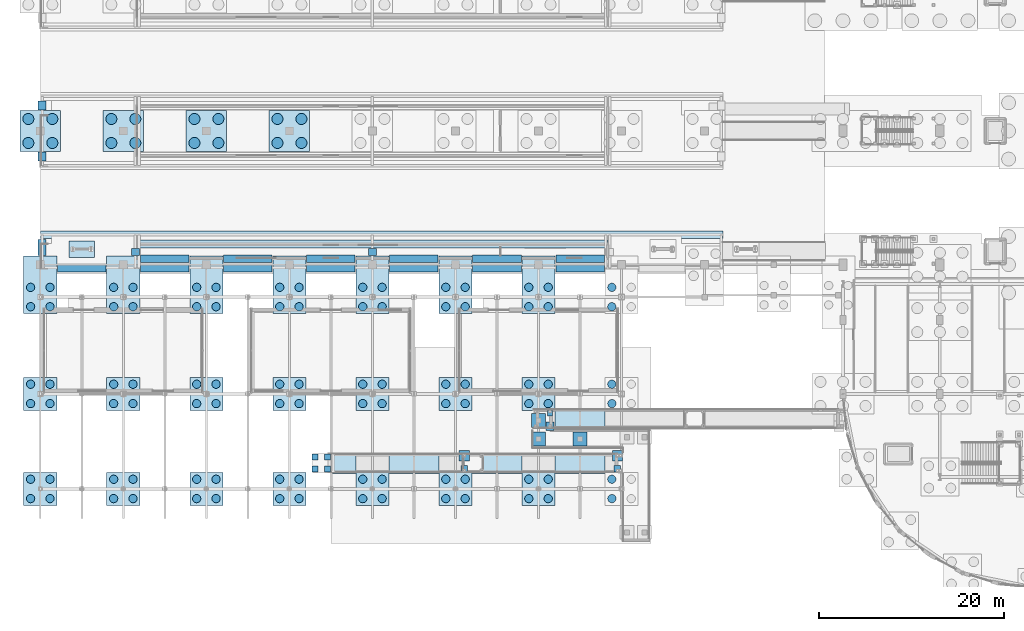
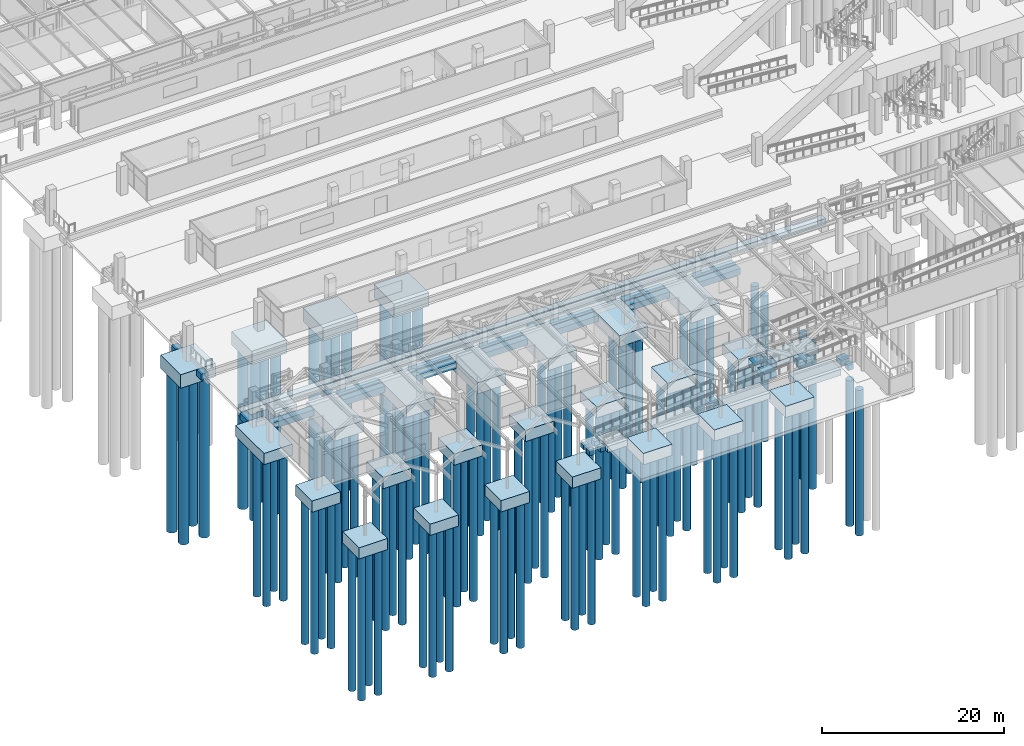
# One storey, part 1 of 160: 106 piles, 64 footings.
"""IFC4 building model written with IfcOpenShell, lengths in metres."""

from ifc_helpers import new_model, si_unit, direction, frame, origin, origin_2d, place, context, subcontext, project, spatial, rectangle, circle, extrude, material, material_profile, profile_set, type_object, element, save


model = new_model("IFC4")

# Units and contexts
model_context = context("Model", 3, precision=1e-05, world=origin(), true_north=direction((0.0, 1.0)))
body_context = subcontext(model_context, "Body", "Model", "MODEL_VIEW")
ifc_project = project(units=[si_unit("LENGTHUNIT", "METRE"), si_unit("AREAUNIT", "SQUARE_METRE"), si_unit("VOLUMEUNIT", "CUBIC_METRE"), si_unit("PLANEANGLEUNIT", "RADIAN"), si_unit("MASSUNIT", "GRAM", prefix="KILO")], contexts=[model_context])

# Site, building, storey
site_placement = place(None, origin())
site = spatial("IfcSite", under=ifc_project, at=site_placement, CompositionType="ELEMENT")
building_placement = place(site_placement, origin())
building = spatial("IfcBuilding", under=site, at=building_placement, Name="Marlcrest Central Station", CompositionType="ELEMENT")
storey_placement = place(building_placement, origin())
storey = spatial("IfcBuildingStorey", under=building, at=storey_placement, Name="L00", CompositionType="ELEMENT", Elevation=0.0)

# Piles
ifc_material_1 = material(Name="Concrete C35/45", Category="concrete")
ifc_material_profile_1 = material_profile(ifc_material_1, circle(Radius=0.449951171875, at=origin_2d()), Name="PILE D900")
ifc_profile_set_1 = profile_set([ifc_material_profile_1], Name="Concrete C35/45")
pile_type_1 = type_object("IfcPileType", Name="BP-02", PredefinedType="BORED", material=ifc_profile_set_1)
for number, where, z_axis, x_axis, name in (
    (1, (-1.050048828125, 21.449951171875, -1.39990234375), (0.0, 0.0, -1.0), (1.0, 0.0, 0.0), "pile-BP-02-0327"),
    (2, (1.050048828125, 21.449951171875, -1.39990234375), (0.0, 0.0, -1.0), (1.0, 0.0, 0.0), "pile-BP-02-0328"),
    (3, (-1.050048828125, 23.550048828125, -1.39990234375), (0.0, 0.0, -1.0), (1.0, 0.0, 0.0), "pile-BP-02-0329"),
    (4, (1.050048828125, 23.550048828125, -1.39990234375), (0.0, 0.0, -1.0), (1.0, 0.0, 0.0), "pile-BP-02-0330"),
    (5, (-1.050048828125, 31.949951171875, -1.39990234375), (0.0, 0.0, -1.0), (1.0, 0.0, 0.0), "pile-BP-02-0331"),
    (6, (1.050048828125, 31.949951171875, -1.39990234375), (0.0, 0.0, -1.0), (1.0, 0.0, 0.0), "pile-BP-02-0332"),
    (7, (-1.050048828125, 34.050048828125, -1.39990234375), (0.0, 0.0, -1.0), (1.0, 0.0, 0.0), "pile-BP-02-0333"),
    (8, (1.050048828125, 34.050048828125, -1.39990234375), (0.0, 0.0, -1.0), (1.0, 0.0, 0.0), "pile-BP-02-0334"),
    (9, (-1.050048828125, 11.14990234375, -1.39990234375), (0.0, 0.0, -1.0), (1.0, 0.0, 0.0), "pile-BP-02-0335"),
    (10, (1.050048828125, 11.14990234375, -1.39990234375), (0.0, 0.0, -1.0), (1.0, 0.0, 0.0), "pile-BP-02-0336"),
    (11, (-1.050048828125, 13.25, -1.39990234375), (0.0, 0.0, -1.0), (1.0, 0.0, 0.0), "pile-BP-02-0337"),
    (12, (1.050048828125, 13.25, -1.39990234375), (0.0, 0.0, -1.0), (1.0, 0.0, 0.0), "pile-BP-02-0338"),
    (13, (7.949951171875, 21.449951171875, -1.39990234375), (0.0, 0.0, -1.0), (1.0, 0.0, 0.0), "pile-BP-02-0339"),
    (14, (10.050048828125, 21.449951171875, -1.39990234375), (0.0, 0.0, -1.0), (1.0, 0.0, 0.0), "pile-BP-02-0340"),
    (15, (7.949951171875, 23.550048828125, -1.39990234375), (0.0, 0.0, -1.0), (1.0, 0.0, 0.0), "pile-BP-02-0341"),
    (16, (10.050048828125, 23.550048828125, -1.39990234375), (0.0, 0.0, -1.0), (1.0, 0.0, 0.0), "pile-BP-02-0342"),
    (17, (7.949951171875, 31.949951171875, -1.39990234375), (0.0, 0.0, -1.0), (1.0, 0.0, 0.0), "pile-BP-02-0343"),
    (18, (10.050048828125, 31.949951171875, -1.39990234375), (0.0, 0.0, -1.0), (1.0, 0.0, 0.0), "pile-BP-02-0344"),
    (19, (7.949951171875, 34.050048828125, -1.39990234375), (0.0, 0.0, -1.0), (1.0, 0.0, 0.0), "pile-BP-02-0345"),
    (20, (10.050048828125, 34.050048828125, -1.39990234375), (0.0, 0.0, -1.0), (1.0, 0.0, 0.0), "pile-BP-02-0346"),
    (21, (7.949951171875, 11.14990234375, -1.39990234375), (0.0, 0.0, -1.0), (1.0, 0.0, 0.0), "pile-BP-02-0347"),
    (22, (10.050048828125, 11.14990234375, -1.39990234375), (0.0, 0.0, -1.0), (1.0, 0.0, 0.0), "pile-BP-02-0348"),
    (23, (7.949951171875, 13.25, -1.39990234375), (0.0, 0.0, -1.0), (1.0, 0.0, 0.0), "pile-BP-02-0349"),
    (24, (10.050048828125, 13.25, -1.39990234375), (0.0, 0.0, -1.0), (1.0, 0.0, 0.0), "pile-BP-02-0350"),
    (25, (16.949951171875, 21.449951171875, -1.39990234375), (0.0, 0.0, -1.0), (1.0, 0.0, 0.0), "pile-BP-02-0351"),
    (26, (19.050048828125, 21.449951171875, -1.39990234375), (0.0, 0.0, -1.0), (1.0, 0.0, 0.0), "pile-BP-02-0352"),
    (27, (16.949951171875, 23.550048828125, -1.39990234375), (0.0, 0.0, -1.0), (1.0, 0.0, 0.0), "pile-BP-02-0353"),
    (28, (19.050048828125, 23.550048828125, -1.39990234375), (0.0, 0.0, -1.0), (1.0, 0.0, 0.0), "pile-BP-02-0354"),
    (29, (16.949951171875, 31.949951171875, -1.39990234375), (0.0, 0.0, -1.0), (1.0, 0.0, 0.0), "pile-BP-02-0355"),
    (30, (19.050048828125, 31.949951171875, -1.39990234375), (0.0, 0.0, -1.0), (1.0, 0.0, 0.0), "pile-BP-02-0356"),
    (31, (16.949951171875, 34.050048828125, -1.39990234375), (0.0, 0.0, -1.0), (1.0, 0.0, 0.0), "pile-BP-02-0357"),
    (32, (19.050048828125, 34.050048828125, -1.39990234375), (0.0, 0.0, -1.0), (1.0, 0.0, 0.0), "pile-BP-02-0358"),
    (33, (16.949951171875, 11.14990234375, -1.39990234375), (0.0, 0.0, -1.0), (1.0, 0.0, 0.0), "pile-BP-02-0359"),
    (34, (19.050048828125, 11.14990234375, -1.39990234375), (0.0, 0.0, -1.0), (1.0, 0.0, 0.0), "pile-BP-02-0360"),
    (35, (16.949951171875, 13.25, -1.39990234375), (0.0, 0.0, -1.0), (1.0, 0.0, 0.0), "pile-BP-02-0361"),
    (36, (19.050048828125, 13.25, -1.39990234375), (0.0, 0.0, -1.0), (1.0, 0.0, 0.0), "pile-BP-02-0362"),
    (37, (25.949951171875, 21.449951171875, -1.39990234375), (0.0, 0.0, -1.0), (1.0, 0.0, 0.0), "pile-BP-02-0363"),
    (38, (28.050048828125, 21.449951171875, -1.39990234375), (0.0, 0.0, -1.0), (1.0, 0.0, 0.0), "pile-BP-02-0364"),
    (39, (25.949951171875, 23.550048828125, -1.39990234375), (0.0, 0.0, -1.0), (1.0, 0.0, 0.0), "pile-BP-02-0365"),
    (40, (28.050048828125, 23.550048828125, -1.39990234375), (0.0, 0.0, -1.0), (1.0, 0.0, 0.0), "pile-BP-02-0366"),
    (41, (25.949951171875, 31.949951171875, -1.39990234375), (0.0, 0.0, -1.0), (1.0, 0.0, 0.0), "pile-BP-02-0367"),
    (42, (28.050048828125, 31.949951171875, -1.39990234375), (0.0, 0.0, -1.0), (1.0, 0.0, 0.0), "pile-BP-02-0368"),
    (43, (25.949951171875, 34.050048828125, -1.39990234375), (0.0, 0.0, -1.0), (1.0, 0.0, 0.0), "pile-BP-02-0369"),
    (44, (28.050048828125, 34.050048828125, -1.39990234375), (0.0, 0.0, -1.0), (1.0, 0.0, 0.0), "pile-BP-02-0370"),
    (45, (25.949951171875, 11.14990234375, -1.39990234375), (0.0, 0.0, -1.0), (1.0, 0.0, 0.0), "pile-BP-02-0371"),
    (46, (28.050048828125, 11.14990234375, -1.39990234375), (0.0, 0.0, -1.0), (1.0, 0.0, 0.0), "pile-BP-02-0372"),
    (47, (25.949951171875, 13.25, -1.39990234375), (0.0, 0.0, -1.0), (1.0, 0.0, 0.0), "pile-BP-02-0373"),
    (48, (28.050048828125, 13.25, -1.39990234375), (0.0, 0.0, -1.0), (1.0, 0.0, 0.0), "pile-BP-02-0374"),
    (49, (34.949951171875, 21.449951171875, -1.39990234375), (0.0, 0.0, -1.0), (1.0, 0.0, 0.0), "pile-BP-02-0375"),
    (50, (37.050048828125, 21.449951171875, -1.39990234375), (0.0, 0.0, -1.0), (1.0, 0.0, 0.0), "pile-BP-02-0376"),
    (51, (34.949951171875, 23.550048828125, -1.39990234375), (0.0, 0.0, -1.0), (1.0, 0.0, 0.0), "pile-BP-02-0377"),
    (52, (37.050048828125, 23.550048828125, -1.39990234375), (0.0, 0.0, -1.0), (1.0, 0.0, 0.0), "pile-BP-02-0378"),
    (53, (34.949951171875, 31.949951171875, -1.39990234375), (0.0, 0.0, -1.0), (1.0, 0.0, 0.0), "pile-BP-02-0379"),
    (54, (37.050048828125, 31.949951171875, -1.39990234375), (0.0, 0.0, -1.0), (1.0, 0.0, 0.0), "pile-BP-02-0380"),
    (55, (34.949951171875, 34.050048828125, -1.39990234375), (0.0, 0.0, -1.0), (1.0, 0.0, 0.0), "pile-BP-02-0381"),
    (56, (37.050048828125, 34.050048828125, -1.39990234375), (0.0, 0.0, -1.0), (1.0, 0.0, 0.0), "pile-BP-02-0382"),
    (57, (34.949951171875, 11.14990234375, -1.39990234375), (0.0, 0.0, -1.0), (1.0, 0.0, 0.0), "pile-BP-02-0383"),
    (58, (37.050048828125, 11.14990234375, -1.39990234375), (0.0, 0.0, -1.0), (1.0, 0.0, 0.0), "pile-BP-02-0384"),
    (59, (34.949951171875, 13.25, -1.39990234375), (0.0, 0.0, -1.0), (1.0, 0.0, 0.0), "pile-BP-02-0385"),
    (60, (37.050048828125, 13.25, -1.39990234375), (0.0, 0.0, -1.0), (1.0, 0.0, 0.0), "pile-BP-02-0386"),
    (61, (43.949951171875, 21.449951171875, -1.39990234375), (0.0, 0.0, -1.0), (1.0, 0.0, 0.0), "pile-BP-02-0387"),
    (62, (46.050048828125, 21.449951171875, -1.39990234375), (0.0, 0.0, -1.0), (1.0, 0.0, 0.0), "pile-BP-02-0388"),
    (63, (43.949951171875, 23.550048828125, -1.39990234375), (0.0, 0.0, -1.0), (1.0, 0.0, 0.0), "pile-BP-02-0389"),
    (64, (46.050048828125, 23.550048828125, -1.39990234375), (0.0, 0.0, -1.0), (1.0, 0.0, 0.0), "pile-BP-02-0390"),
    (65, (43.949951171875, 31.949951171875, -1.39990234375), (0.0, 0.0, -1.0), (1.0, 0.0, 0.0), "pile-BP-02-0391"),
    (66, (46.050048828125, 31.949951171875, -1.39990234375), (0.0, 0.0, -1.0), (1.0, 0.0, 0.0), "pile-BP-02-0392"),
    (67, (43.949951171875, 34.050048828125, -1.39990234375), (0.0, 0.0, -1.0), (1.0, 0.0, 0.0), "pile-BP-02-0393"),
    (68, (46.050048828125, 34.050048828125, -1.39990234375), (0.0, 0.0, -1.0), (1.0, 0.0, 0.0), "pile-BP-02-0394"),
    (69, (43.949951171875, 11.14990234375, -1.39990234375), (0.0, 0.0, -1.0), (1.0, 0.0, 0.0), "pile-BP-02-0395"),
    (70, (46.050048828125, 11.14990234375, -1.39990234375), (0.0, 0.0, -1.0), (1.0, 0.0, 0.0), "pile-BP-02-0396"),
    (71, (43.949951171875, 13.25, -1.39990234375), (0.0, 0.0, -1.0), (1.0, 0.0, 0.0), "pile-BP-02-0397"),
    (72, (46.050048828125, 13.25, -1.39990234375), (0.0, 0.0, -1.0), (1.0, 0.0, 0.0), "pile-BP-02-0398"),
    (73, (52.949951171875, 21.449951171875, -1.39990234375), (0.0, 0.0, -1.0), (1.0, 0.0, 0.0), "pile-BP-02-0399"),
    (74, (55.050048828125, 21.449951171875, -1.39990234375), (0.0, 0.0, -1.0), (1.0, 0.0, 0.0), "pile-BP-02-0400"),
    (75, (52.949951171875, 23.550048828125, -1.39990234375), (0.0, 0.0, -1.0), (1.0, 0.0, 0.0), "pile-BP-02-0401"),
    (76, (55.050048828125, 23.550048828125, -1.39990234375), (0.0, 0.0, -1.0), (1.0, 0.0, 0.0), "pile-BP-02-0402"),
    (77, (52.949951171875, 31.949951171875, -1.39990234375), (0.0, 0.0, -1.0), (1.0, 0.0, 0.0), "pile-BP-02-0403"),
    (78, (55.050048828125, 31.949951171875, -1.39990234375), (0.0, 0.0, -1.0), (1.0, 0.0, 0.0), "pile-BP-02-0404"),
    (79, (52.949951171875, 34.050048828125, -1.39990234375), (0.0, 0.0, -1.0), (1.0, 0.0, 0.0), "pile-BP-02-0405"),
    (80, (55.050048828125, 34.050048828125, -1.39990234375), (0.0, 0.0, -1.0), (1.0, 0.0, 0.0), "pile-BP-02-0406"),
    (81, (52.949951171875, 11.14990234375, -1.39990234375), (0.0, 0.0, -1.0), (1.0, 0.0, 0.0), "pile-BP-02-0407"),
    (82, (55.050048828125, 11.14990234375, -1.39990234375), (0.0, 0.0, -1.0), (1.0, 0.0, 0.0), "pile-BP-02-0408"),
    (83, (52.949951171875, 13.25, -1.39990234375), (0.0, 0.0, -1.0), (1.0, 0.0, 0.0), "pile-BP-02-0409"),
    (84, (55.050048828125, 13.25, -1.39990234375), (0.0, 0.0, -1.0), (1.0, 0.0, 0.0), "pile-BP-02-0410"),
    (85, (61.949951171875, 21.449951171875, -1.39990234375), (0.0, 0.0, -1.0), (1.0, 0.0, 0.0), "pile-BP-02-0411"),
    (86, (61.949951171875, 23.550048828125, -1.39990234375), (0.0, 0.0, -1.0), (1.0, 0.0, 0.0), "pile-BP-02-0413"),
    (87, (61.949951171875, 31.949951171875, -1.39990234375), (0.0, 0.0, -1.0), (1.0, 0.0, 0.0), "pile-BP-02-0415"),
    (88, (61.949951171875, 34.050048828125, -1.39990234375), (0.0, 0.0, -1.0), (1.0, 0.0, 0.0), "pile-BP-02-0417"),
    (89, (61.949951171875, 11.14990234375, -1.39990234375), (0.0, 0.0, -1.0), (1.0, 0.0, 0.0), "pile-BP-02-0419"),
    (90, (61.949951171875, 13.25, -1.39990234375), (0.0, 0.0, -1.0), (1.0, 0.0, 0.0), "pile-BP-02-0421"),
):
    element("IfcPile", number, at=place(storey_placement, frame(where, z_axis=z_axis, x_axis=x_axis)), inside=storey, type_object=pile_type_1, Name=name, PredefinedType="BORED", context=body_context, shape_type="SweptSolid", body=[
        extrude(circle(Radius=0.449951171875, at=origin_2d()), origin(), (0.0, 0.0, 1.0), 19.5),
    ])
ifc_material_profile_2 = material_profile(ifc_material_1, circle(Radius=0.60009765625, at=origin_2d()), Name="PILE D1200")
ifc_profile_set_2 = profile_set([ifc_material_profile_2], Name="Concrete C35/45")
pile_type_2 = type_object("IfcPileType", Name="BP-04", PredefinedType="BORED", material=ifc_profile_set_2)
for number, where, z_axis, x_axis, name in (
    (91, (-1.300048828125, 49.699951171875, -1.699951171875), (0.0, 0.0, -1.0), (1.0, 0.0, 0.0), "pile-BP-04-0423"),
    (92, (1.300048828125, 49.699951171875, -1.699951171875), (0.0, 0.0, -1.0), (1.0, 0.0, 0.0), "pile-BP-04-0424"),
    (93, (-1.300048828125, 52.300048828125, -1.699951171875), (0.0, 0.0, -1.0), (1.0, 0.0, 0.0), "pile-BP-04-0425"),
    (94, (1.300048828125, 52.300048828125, -1.699951171875), (0.0, 0.0, -1.0), (1.0, 0.0, 0.0), "pile-BP-04-0426"),
    (95, (7.699951171875, 49.699951171875, -1.699951171875), (0.0, 0.0, -1.0), (1.0, 0.0, 0.0), "pile-BP-04-0437"),
    (96, (10.300048828125, 49.699951171875, -1.699951171875), (0.0, 0.0, -1.0), (1.0, 0.0, 0.0), "pile-BP-04-0438"),
    (97, (7.699951171875, 52.300048828125, -1.699951171875), (0.0, 0.0, -1.0), (1.0, 0.0, 0.0), "pile-BP-04-0439"),
    (98, (10.300048828125, 52.300048828125, -1.699951171875), (0.0, 0.0, -1.0), (1.0, 0.0, 0.0), "pile-BP-04-0440"),
    (99, (16.699951171875, 49.699951171875, -1.699951171875), (0.0, 0.0, -1.0), (1.0, 0.0, 0.0), "pile-BP-04-0451"),
    (100, (19.300048828125, 49.699951171875, -1.699951171875), (0.0, 0.0, -1.0), (1.0, 0.0, 0.0), "pile-BP-04-0452"),
    (101, (16.699951171875, 52.300048828125, -1.699951171875), (0.0, 0.0, -1.0), (1.0, 0.0, 0.0), "pile-BP-04-0453"),
    (102, (19.300048828125, 52.300048828125, -1.699951171875), (0.0, 0.0, -1.0), (1.0, 0.0, 0.0), "pile-BP-04-0454"),
    (103, (25.699951171875, 49.699951171875, -1.699951171875), (0.0, 0.0, -1.0), (1.0, 0.0, 0.0), "pile-BP-04-0465"),
    (104, (28.300048828125, 49.699951171875, -1.699951171875), (0.0, 0.0, -1.0), (1.0, 0.0, 0.0), "pile-BP-04-0466"),
    (105, (25.699951171875, 52.300048828125, -1.699951171875), (0.0, 0.0, -1.0), (1.0, 0.0, 0.0), "pile-BP-04-0467"),
    (106, (28.300048828125, 52.300048828125, -1.699951171875), (0.0, 0.0, -1.0), (1.0, 0.0, 0.0), "pile-BP-04-0468"),
):
    element("IfcPile", number, at=place(storey_placement, frame(where, z_axis=z_axis, x_axis=x_axis)), inside=storey, type_object=pile_type_2, Name=name, PredefinedType="BORED", context=body_context, shape_type="SweptSolid", body=[
        extrude(circle(Radius=0.60009765625, at=origin_2d()), origin(), (0.0, 0.0, 1.0), 21.5),
    ])

# Footings
ifc_material_2 = material(Name="Concrete C40/50", Category="concrete")
footing_type_1 = type_object("IfcFootingType", Name="PC-02", PredefinedType="PILE_CAP", material=ifc_material_2)
footing_1_placement = place(storey_placement, frame((0.0, 22.5, -1.5), z_axis=(0.0, 0.0, 1.0), x_axis=(1.0, 0.0, 0.0)))
element("IfcFooting", 107, at=footing_1_placement, inside=storey, type_object=footing_type_1, Name="ftg-cap-0084", PredefinedType="PILE_CAP", context=body_context, shape_type="SweptSolid", body=[
    extrude(rectangle(XDim=3.60009765625, YDim=3.60009765625, at=origin_2d()), origin(), (0.0, 0.0, 1.0), 1.5),
])
footing_2_placement = place(storey_placement, frame((0.0, 34.324951171875, -1.5), z_axis=(0.0, 0.0, 1.0), x_axis=(1.0, 0.0, 0.0)))
element("IfcFooting", 108, at=footing_2_placement, inside=storey, type_object=footing_type_1, Name="ftg-cap-0085", PredefinedType="PILE_CAP", context=body_context, shape_type="SweptSolid", body=[
    extrude(rectangle(XDim=3.60009765625, YDim=6.25, at=origin_2d()), origin(), (0.0, 0.0, 1.0), 1.5),
])
for number, where, z_axis, x_axis, name in (
    (109, (0.0, 12.199951171875, -1.5), (0.0, 0.0, 1.0), (1.0, 0.0, 0.0), "ftg-cap-0086"),
    (110, (9.0, 22.5, -1.5), (0.0, 0.0, 1.0), (1.0, 0.0, 0.0), "ftg-cap-0087"),
):
    element("IfcFooting", number, at=place(storey_placement, frame(where, z_axis=z_axis, x_axis=x_axis)), inside=storey, type_object=footing_type_1, Name=name, PredefinedType="PILE_CAP", context=body_context, shape_type="SweptSolid", body=[
        extrude(rectangle(XDim=3.60009765625, YDim=3.60009765625, at=origin_2d()), origin(), (0.0, 0.0, 1.0), 1.5),
    ])
footing_3_placement = place(storey_placement, frame((9.0, 34.324951171875, -1.5), z_axis=(0.0, 0.0, 1.0), x_axis=(1.0, 0.0, 0.0)))
element("IfcFooting", 111, at=footing_3_placement, inside=storey, type_object=footing_type_1, Name="ftg-cap-0088", PredefinedType="PILE_CAP", context=body_context, shape_type="SweptSolid", body=[
    extrude(rectangle(XDim=3.60009765625, YDim=6.25, at=origin_2d()), origin(), (0.0, 0.0, 1.0), 1.5),
])
for number, where, z_axis, x_axis, name in (
    (112, (9.0, 12.199951171875, -1.5), (0.0, 0.0, 1.0), (1.0, 0.0, 0.0), "ftg-cap-0089"),
    (113, (18.0, 22.5, -1.5), (0.0, 0.0, 1.0), (1.0, 0.0, 0.0), "ftg-cap-0090"),
):
    element("IfcFooting", number, at=place(storey_placement, frame(where, z_axis=z_axis, x_axis=x_axis)), inside=storey, type_object=footing_type_1, Name=name, PredefinedType="PILE_CAP", context=body_context, shape_type="SweptSolid", body=[
        extrude(rectangle(XDim=3.60009765625, YDim=3.60009765625, at=origin_2d()), origin(), (0.0, 0.0, 1.0), 1.5),
    ])
footing_4_placement = place(storey_placement, frame((18.0, 34.324951171875, -1.5), z_axis=(0.0, 0.0, 1.0), x_axis=(1.0, 0.0, 0.0)))
element("IfcFooting", 114, at=footing_4_placement, inside=storey, type_object=footing_type_1, Name="ftg-cap-0091", PredefinedType="PILE_CAP", context=body_context, shape_type="SweptSolid", body=[
    extrude(rectangle(XDim=3.60009765625, YDim=6.25, at=origin_2d()), origin(), (0.0, 0.0, 1.0), 1.5),
])
for number, where, z_axis, x_axis, name in (
    (115, (18.0, 12.199951171875, -1.5), (0.0, 0.0, 1.0), (1.0, 0.0, 0.0), "ftg-cap-0092"),
    (116, (27.0, 22.5, -1.5), (0.0, 0.0, 1.0), (1.0, 0.0, 0.0), "ftg-cap-0093"),
):
    element("IfcFooting", number, at=place(storey_placement, frame(where, z_axis=z_axis, x_axis=x_axis)), inside=storey, type_object=footing_type_1, Name=name, PredefinedType="PILE_CAP", context=body_context, shape_type="SweptSolid", body=[
        extrude(rectangle(XDim=3.60009765625, YDim=3.60009765625, at=origin_2d()), origin(), (0.0, 0.0, 1.0), 1.5),
    ])
footing_5_placement = place(storey_placement, frame((27.0, 34.324951171875, -1.5), z_axis=(0.0, 0.0, 1.0), x_axis=(1.0, 0.0, 0.0)))
element("IfcFooting", 117, at=footing_5_placement, inside=storey, type_object=footing_type_1, Name="ftg-cap-0094", PredefinedType="PILE_CAP", context=body_context, shape_type="SweptSolid", body=[
    extrude(rectangle(XDim=3.60009765625, YDim=6.25, at=origin_2d()), origin(), (0.0, 0.0, 1.0), 1.5),
])
for number, where, z_axis, x_axis, name in (
    (118, (27.0, 12.199951171875, -1.5), (0.0, 0.0, 1.0), (1.0, 0.0, 0.0), "ftg-cap-0095"),
    (119, (36.0, 22.5, -1.5), (0.0, 0.0, 1.0), (1.0, 0.0, 0.0), "ftg-cap-0096"),
):
    element("IfcFooting", number, at=place(storey_placement, frame(where, z_axis=z_axis, x_axis=x_axis)), inside=storey, type_object=footing_type_1, Name=name, PredefinedType="PILE_CAP", context=body_context, shape_type="SweptSolid", body=[
        extrude(rectangle(XDim=3.60009765625, YDim=3.60009765625, at=origin_2d()), origin(), (0.0, 0.0, 1.0), 1.5),
    ])
footing_6_placement = place(storey_placement, frame((36.0, 34.324951171875, -1.5), z_axis=(0.0, 0.0, 1.0), x_axis=(1.0, 0.0, 0.0)))
element("IfcFooting", 120, at=footing_6_placement, inside=storey, type_object=footing_type_1, Name="ftg-cap-0097", PredefinedType="PILE_CAP", context=body_context, shape_type="SweptSolid", body=[
    extrude(rectangle(XDim=3.60009765625, YDim=6.25, at=origin_2d()), origin(), (0.0, 0.0, 1.0), 1.5),
])
for number, where, z_axis, x_axis, name in (
    (121, (36.0, 12.199951171875, -1.5), (0.0, 0.0, 1.0), (1.0, 0.0, 0.0), "ftg-cap-0098"),
    (122, (45.0, 22.5, -1.5), (0.0, 0.0, 1.0), (1.0, 0.0, 0.0), "ftg-cap-0099"),
):
    element("IfcFooting", number, at=place(storey_placement, frame(where, z_axis=z_axis, x_axis=x_axis)), inside=storey, type_object=footing_type_1, Name=name, PredefinedType="PILE_CAP", context=body_context, shape_type="SweptSolid", body=[
        extrude(rectangle(XDim=3.60009765625, YDim=3.60009765625, at=origin_2d()), origin(), (0.0, 0.0, 1.0), 1.5),
    ])
footing_7_placement = place(storey_placement, frame((45.0, 34.324951171875, -1.5), z_axis=(0.0, 0.0, 1.0), x_axis=(1.0, 0.0, 0.0)))
element("IfcFooting", 123, at=footing_7_placement, inside=storey, type_object=footing_type_1, Name="ftg-cap-0100", PredefinedType="PILE_CAP", context=body_context, shape_type="SweptSolid", body=[
    extrude(rectangle(XDim=3.60009765625, YDim=6.25, at=origin_2d()), origin(), (0.0, 0.0, 1.0), 1.5),
])
for number, where, z_axis, x_axis, name in (
    (124, (45.0, 12.199951171875, -1.5), (0.0, 0.0, 1.0), (1.0, 0.0, 0.0), "ftg-cap-0101"),
    (125, (54.0, 22.5, -1.5), (0.0, 0.0, 1.0), (1.0, 0.0, 0.0), "ftg-cap-0102"),
):
    element("IfcFooting", number, at=place(storey_placement, frame(where, z_axis=z_axis, x_axis=x_axis)), inside=storey, type_object=footing_type_1, Name=name, PredefinedType="PILE_CAP", context=body_context, shape_type="SweptSolid", body=[
        extrude(rectangle(XDim=3.60009765625, YDim=3.60009765625, at=origin_2d()), origin(), (0.0, 0.0, 1.0), 1.5),
    ])
footing_8_placement = place(storey_placement, frame((54.0, 34.324951171875, -1.5), z_axis=(0.0, 0.0, 1.0), x_axis=(1.0, 0.0, 0.0)))
element("IfcFooting", 126, at=footing_8_placement, inside=storey, type_object=footing_type_1, Name="ftg-cap-0103", PredefinedType="PILE_CAP", context=body_context, shape_type="SweptSolid", body=[
    extrude(rectangle(XDim=3.60009765625, YDim=6.25, at=origin_2d()), origin(), (0.0, 0.0, 1.0), 1.5),
])
footing_9_placement = place(storey_placement, frame((54.0, 12.199951171875, -1.5), z_axis=(0.0, 0.0, 1.0), x_axis=(1.0, 0.0, 0.0)))
element("IfcFooting", 127, at=footing_9_placement, inside=storey, type_object=footing_type_1, Name="ftg-cap-0104", PredefinedType="PILE_CAP", context=body_context, shape_type="SweptSolid", body=[
    extrude(rectangle(XDim=3.60009765625, YDim=3.60009765625, at=origin_2d()), origin(), (0.0, 0.0, 1.0), 1.5),
])
footing_type_2 = type_object("IfcFootingType", Name="PC-04", PredefinedType="PILE_CAP", material=ifc_material_2)
for number, where, z_axis, x_axis, name in (
    (128, (0.0, 51.0, -1.7998046875), (0.0, 0.0, 1.0), (1.0, 0.0, 0.0), "ftg-cap-0108"),
    (129, (9.0, 51.0, -1.7998046875), (0.0, 0.0, 1.0), (1.0, 0.0, 0.0), "ftg-cap-0112"),
    (130, (18.0, 51.0, -1.7998046875), (0.0, 0.0, 1.0), (1.0, 0.0, 0.0), "ftg-cap-0116"),
    (131, (27.0, 51.0, -1.7998046875), (0.0, 0.0, 1.0), (1.0, 0.0, 0.0), "ftg-cap-0120"),
):
    element("IfcFooting", number, at=place(storey_placement, frame(where, z_axis=z_axis, x_axis=x_axis)), inside=storey, type_object=footing_type_2, Name=name, PredefinedType="PILE_CAP", context=body_context, shape_type="SweptSolid", body=[
        extrude(rectangle(XDim=4.39990234375, YDim=4.39990234375, at=origin_2d()), origin(), (0.0, 0.0, 1.0), 1.800048828125),
    ])
footing_type_3 = type_object("IfcFootingType", Name="PF-01", PredefinedType="PAD_FOOTING", material=ifc_material_2)
footing_10_placement = place(storey_placement, frame((4.5, 38.199951171875, -0.550048828125), z_axis=(0.0, 0.0, 1.0), x_axis=(1.0, 0.0, 0.0)))
element("IfcFooting", 132, at=footing_10_placement, inside=storey, type_object=footing_type_3, Name="ftg-pad-ap-0-0", PredefinedType="PAD_FOOTING", context=body_context, shape_type="SweptSolid", body=[
    extrude(rectangle(XDim=2.800048828125, YDim=1.800048828125, at=origin_2d()), origin(), (0.0, 0.0, 1.0), 0.75),
])
footing_type_4 = type_object("IfcFootingType", Name="PF-02", PredefinedType="PAD_FOOTING", material=ifc_material_2)
for number, where, z_axis, x_axis, name in (
    (133, (58.5, 17.60009765625, -0.89990234375), (0.0, 0.0, 1.0), (1.0, 0.0, 0.0), "ftg-rmp-585-176"),
    (134, (54.0, 17.60009765625, -0.89990234375), (0.0, 0.0, 1.0), (1.0, 0.0, 0.0), "ftg-rmp-540-176"),
    (135, (54.0, 19.60009765625, -0.89990234375), (0.0, 0.0, 1.0), (1.0, 0.0, 0.0), "ftg-rmp-540-196"),
):
    element("IfcFooting", number, at=place(storey_placement, frame(where, z_axis=z_axis, x_axis=x_axis)), inside=storey, type_object=footing_type_4, Name=name, PredefinedType="PAD_FOOTING", context=body_context, shape_type="SweptSolid", body=[
        extrude(rectangle(XDim=1.5, YDim=1.5, at=origin_2d()), origin(), (0.0, 0.0, 1.0), 0.89990234375),
    ])
footing_11_placement = place(storey_placement, frame((45.949951171875, 14.39990234375, -0.9501953125), z_axis=(0.0, 0.0, 1.0), x_axis=(1.0, 0.0, 0.0)))
element("IfcFooting", 136, at=footing_11_placement, inside=storey, type_object=footing_type_4, Name="ftg-rmp-padfix-001", PredefinedType="PAD_FOOTING", context=body_context, shape_type="SweptSolid", body=[
    extrude(rectangle(XDim=0.699951171875, YDim=0.699951171875, at=origin_2d()), origin(), (0.0, 0.0, 1.0), 0.699951171875),
])
footing_12_placement = place(storey_placement, frame((45.949951171875, 15.800048828125, -0.9501953125), z_axis=(0.0, 0.0, 1.0), x_axis=(1.0, 0.0, 0.0)))
element("IfcFooting", 137, at=footing_12_placement, inside=storey, type_object=footing_type_4, Name="ftg-rmp-padfix-002", PredefinedType="PAD_FOOTING", context=body_context, shape_type="SweptSolid", body=[
    extrude(rectangle(XDim=1.10009765625, YDim=1.10009765625, at=origin_2d()), origin(), (0.0, 0.0, 1.0), 0.699951171875),
])
footing_13_placement = place(storey_placement, frame((62.550048828125, 14.39990234375, -0.9501953125), z_axis=(0.0, 0.0, 1.0), x_axis=(1.0, 0.0, 0.0)))
element("IfcFooting", 138, at=footing_13_placement, inside=storey, type_object=footing_type_4, Name="ftg-rmp-padfix-003", PredefinedType="PAD_FOOTING", context=body_context, shape_type="SweptSolid", body=[
    extrude(rectangle(XDim=0.699951171875, YDim=0.699951171875, at=origin_2d()), origin(), (0.0, 0.0, 1.0), 0.699951171875),
])
footing_14_placement = place(storey_placement, frame((62.550048828125, 15.800048828125, -0.9501953125), z_axis=(0.0, 0.0, 1.0), x_axis=(1.0, 0.0, 0.0)))
element("IfcFooting", 139, at=footing_14_placement, inside=storey, type_object=footing_type_4, Name="ftg-rmp-padfix-004", PredefinedType="PAD_FOOTING", context=body_context, shape_type="SweptSolid", body=[
    extrude(rectangle(XDim=1.10009765625, YDim=1.10009765625, at=origin_2d()), origin(), (0.0, 0.0, 1.0), 0.699951171875),
])
footing_15_placement = place(storey_placement, frame((55.25, 19.0, -0.9501953125), z_axis=(0.0, 0.0, 1.0), x_axis=(1.0, 0.0, 0.0)))
element("IfcFooting", 140, at=footing_15_placement, inside=storey, type_object=footing_type_4, Name="ftg-rmp-padfix-005", PredefinedType="PAD_FOOTING", context=body_context, shape_type="SweptSolid", body=[
    extrude(rectangle(XDim=0.89990234375, YDim=0.89990234375, at=origin_2d()), origin(), (0.0, 0.0, 1.0), 0.699951171875),
])
footing_16_placement = place(storey_placement, frame((55.25, 20.39990234375, -0.9501953125), z_axis=(0.0, 0.0, 1.0), x_axis=(1.0, 0.0, 0.0)))
element("IfcFooting", 141, at=footing_16_placement, inside=storey, type_object=footing_type_4, Name="ftg-rmp-padfix-006", PredefinedType="PAD_FOOTING", context=body_context, shape_type="SweptSolid", body=[
    extrude(rectangle(XDim=0.56005859375, YDim=0.56005859375, at=origin_2d()), origin(), (0.0, 0.0, 1.0), 0.699951171875),
])
footing_type_5 = type_object("IfcFootingType", Name="PF-03", PredefinedType="PAD_FOOTING", material=ifc_material_2)
for number, where, z_axis, x_axis, name in (
    (142, (29.800048828125, 14.35009765625, -0.85009765625), (0.0, 0.0, 1.0), (1.0, 0.0, 0.0), "ramp-01-ldpad-1-298-143"),
    (143, (29.800048828125, 15.64990234375, -0.85009765625), (0.0, 0.0, 1.0), (1.0, 0.0, 0.0), "ramp-01-ldpad-1-298-156"),
    (144, (31.14990234375, 14.35009765625, -0.85009765625), (0.0, 0.0, 1.0), (1.0, 0.0, 0.0), "ramp-01-ldpad-1-311-143"),
    (145, (31.14990234375, 15.64990234375, -0.85009765625), (0.0, 0.0, 1.0), (1.0, 0.0, 0.0), "ramp-01-ldpad-1-311-156"),
):
    element("IfcFooting", number, at=place(storey_placement, frame(where, z_axis=z_axis, x_axis=x_axis)), inside=storey, type_object=footing_type_5, Name=name, PredefinedType="PAD_FOOTING", context=body_context, shape_type="SweptSolid", body=[
        extrude(rectangle(XDim=0.64990234375, YDim=0.64990234375, at=origin_2d()), origin(), (0.0, 0.0, 1.0), 0.60009765625),
    ])
footing_type_6 = type_object("IfcFootingType", Name="SF-01", PredefinedType="STRIP_FOOTING", material=ifc_material_2)
for number, where, z_axis, x_axis, name in (
    (146, (4.5, 36.14990234375, -0.7998046875), (0.0, 0.0, 1.0), (1.0, 0.0, 0.0), "ftg-pw-0001"),
    (147, (13.5, 36.14990234375, -0.7998046875), (0.0, 0.0, 1.0), (1.0, 0.0, 0.0), "ftg-pw-0002"),
    (148, (22.5, 36.14990234375, -0.7998046875), (0.0, 0.0, 1.0), (1.0, 0.0, 0.0), "ftg-pw-0003"),
    (149, (31.5, 36.14990234375, -0.7998046875), (0.0, 0.0, 1.0), (1.0, 0.0, 0.0), "ftg-pw-0004"),
    (150, (40.5, 36.14990234375, -0.7998046875), (0.0, 0.0, 1.0), (1.0, 0.0, 0.0), "ftg-pw-0005"),
    (151, (49.5, 36.14990234375, -0.7998046875), (0.0, 0.0, 1.0), (1.0, 0.0, 0.0), "ftg-pw-0006"),
    (152, (58.5, 36.14990234375, -0.7998046875), (0.0, 0.0, 1.0), (1.0, 0.0, 0.0), "ftg-pw-0007"),
):
    element("IfcFooting", number, at=place(storey_placement, frame(where, z_axis=z_axis, x_axis=x_axis)), inside=storey, type_object=footing_type_6, Name=name, PredefinedType="STRIP_FOOTING", context=body_context, shape_type="SweptSolid", body=[
        extrude(rectangle(XDim=5.260009765625, YDim=0.85009765625, at=origin_2d()), origin(), (0.0, 0.0, 1.0), 0.800048828125),
    ])
footing_17_placement = place(storey_placement, frame((37.0, 39.75, -0.7998046875), z_axis=(0.0, 0.0, 1.0), x_axis=(1.0, 0.0, 0.0)))
element("IfcFooting", 153, at=footing_17_placement, inside=storey, type_object=footing_type_6, Name="ftg-pw-0009", PredefinedType="STRIP_FOOTING", context=body_context, shape_type="SweptSolid", body=[
    extrude(rectangle(XDim=73.9599609375, YDim=0.85009765625, at=origin_2d()), origin(), (0.0, 0.0, 1.0), 0.800048828125),
])
for number, where, z_axis, x_axis, name in (
    (154, (13.5, 37.14990234375, -0.7998046875), (0.0, 0.0, 1.0), (1.0, 0.0, 0.0), "ftg-pw-0010"),
    (155, (22.5, 37.14990234375, -0.7998046875), (0.0, 0.0, 1.0), (1.0, 0.0, 0.0), "ftg-pw-0011"),
    (156, (31.5, 37.14990234375, -0.7998046875), (0.0, 0.0, 1.0), (1.0, 0.0, 0.0), "ftg-pw-0012"),
    (157, (40.5, 37.14990234375, -0.7998046875), (0.0, 0.0, 1.0), (1.0, 0.0, 0.0), "ftg-pw-0013"),
    (158, (49.5, 37.14990234375, -0.7998046875), (0.0, 0.0, 1.0), (1.0, 0.0, 0.0), "ftg-pw-0014"),
    (159, (58.5, 37.14990234375, -0.7998046875), (0.0, 0.0, 1.0), (1.0, 0.0, 0.0), "ftg-pw-0015"),
):
    element("IfcFooting", number, at=place(storey_placement, frame(where, z_axis=z_axis, x_axis=x_axis)), inside=storey, type_object=footing_type_6, Name=name, PredefinedType="STRIP_FOOTING", context=body_context, shape_type="SweptSolid", body=[
        extrude(rectangle(XDim=5.260009765625, YDim=0.85009765625, at=origin_2d()), origin(), (0.0, 0.0, 1.0), 0.800048828125),
    ])
footing_18_placement = place(storey_placement, frame((36.0, 38.75, -0.7998046875), z_axis=(0.0, 0.0, 1.0), x_axis=(1.0, 0.0, 0.0)))
element("IfcFooting", 160, at=footing_18_placement, inside=storey, type_object=footing_type_6, Name="ftg-pw-0016", PredefinedType="STRIP_FOOTING", context=body_context, shape_type="SweptSolid", body=[
    extrude(rectangle(XDim=50.9599609375, YDim=0.85009765625, at=origin_2d()), origin(), (0.0, 0.0, 1.0), 0.800048828125),
])
footing_19_placement = place(storey_placement, frame((0.199951171875, 38.387939453125, -0.7998046875), z_axis=(0.0, 0.0, 1.0), x_axis=(1.0, 0.0, 0.0)))
element("IfcFooting", 161, at=footing_19_placement, inside=storey, type_object=footing_type_6, Name="ftg-pw-0017", PredefinedType="STRIP_FOOTING", context=body_context, shape_type="SweptSolid", body=[
    extrude(rectangle(XDim=0.85009765625, YDim=1.735107421875, at=origin_2d()), origin(), (0.0, 0.0, 1.0), 0.800048828125),
])
for number, where, z_axis, x_axis, name in (
    (162, (10.300048828125, 37.887939453125, -0.7998046875), (0.0, 0.0, 1.0), (1.0, 0.0, 0.0), "ftg-pw-0018"),
    (163, (36.0, 37.887939453125, -0.7998046875), (0.0, 0.0, 1.0), (1.0, 0.0, 0.0), "ftg-pw-0019"),
):
    element("IfcFooting", number, at=place(storey_placement, frame(where, z_axis=z_axis, x_axis=x_axis)), inside=storey, type_object=footing_type_6, Name=name, PredefinedType="STRIP_FOOTING", context=body_context, shape_type="SweptSolid", body=[
        extrude(rectangle(XDim=0.85009765625, YDim=0.735107421875, at=origin_2d()), origin(), (0.0, 0.0, 1.0), 0.800048828125),
    ])
for number, where, z_axis, x_axis, name in (
    (164, (0.199951171875, 48.237060546875, -0.7998046875), (0.0, 0.0, 1.0), (1.0, 0.0, 0.0), "ftg-pw-0048"),
    (165, (0.199951171875, 53.762939453125, -0.7998046875), (0.0, 0.0, 1.0), (1.0, 0.0, 0.0), "ftg-pw-0049"),
):
    element("IfcFooting", number, at=place(storey_placement, frame(where, z_axis=z_axis, x_axis=x_axis)), inside=storey, type_object=footing_type_6, Name=name, PredefinedType="STRIP_FOOTING", context=body_context, shape_type="SweptSolid", body=[
        extrude(rectangle(XDim=0.85009765625, YDim=0.985107421875, at=origin_2d()), origin(), (0.0, 0.0, 1.0), 0.800048828125),
    ])
footing_20_placement = place(storey_placement, frame((32.922607421875, 15.0, -1.0498046875), z_axis=(0.0, 0.0, 1.0), x_axis=(1.0, 0.0, 0.0)))
element("IfcFooting", 166, at=footing_20_placement, inside=storey, type_object=footing_type_6, Name="ftg-rmp-str-1", PredefinedType="STRIP_FOOTING", context=body_context, shape_type="SweptSolid", body=[
    extrude(rectangle(XDim=2.544921875, YDim=2.300048828125, at=origin_2d()), origin(), (0.0, 0.0, 1.0), 0.800048828125),
])
for number, where, z_axis, x_axis, name in (
    (167, (40.5, 15.0, -1.0498046875), (0.0, 0.0, 1.0), (1.0, 0.0, 0.0), "ftg-rmp-str-1"),
    (168, (49.5, 15.0, -1.0498046875), (0.0, 0.0, 1.0), (1.0, 0.0, 0.0), "ftg-rmp-str-1"),
    (169, (58.5, 15.0, -1.0498046875), (0.0, 0.0, 1.0), (1.0, 0.0, 0.0), "ftg-rmp-str-1"),
    (170, (58.5, 19.800048828125, -1.0498046875), (0.0, 0.0, 1.0), (1.0, 0.0, 0.0), "ftg-rmp-str-2"),
):
    element("IfcFooting", number, at=place(storey_placement, frame(where, z_axis=z_axis, x_axis=x_axis)), inside=storey, type_object=footing_type_6, Name=name, PredefinedType="STRIP_FOOTING", context=body_context, shape_type="SweptSolid", body=[
        extrude(rectangle(XDim=5.389892578125, YDim=2.300048828125, at=origin_2d()), origin(), (0.0, 0.0, 1.0), 0.800048828125),
    ])

save(model, "model.ifc")
